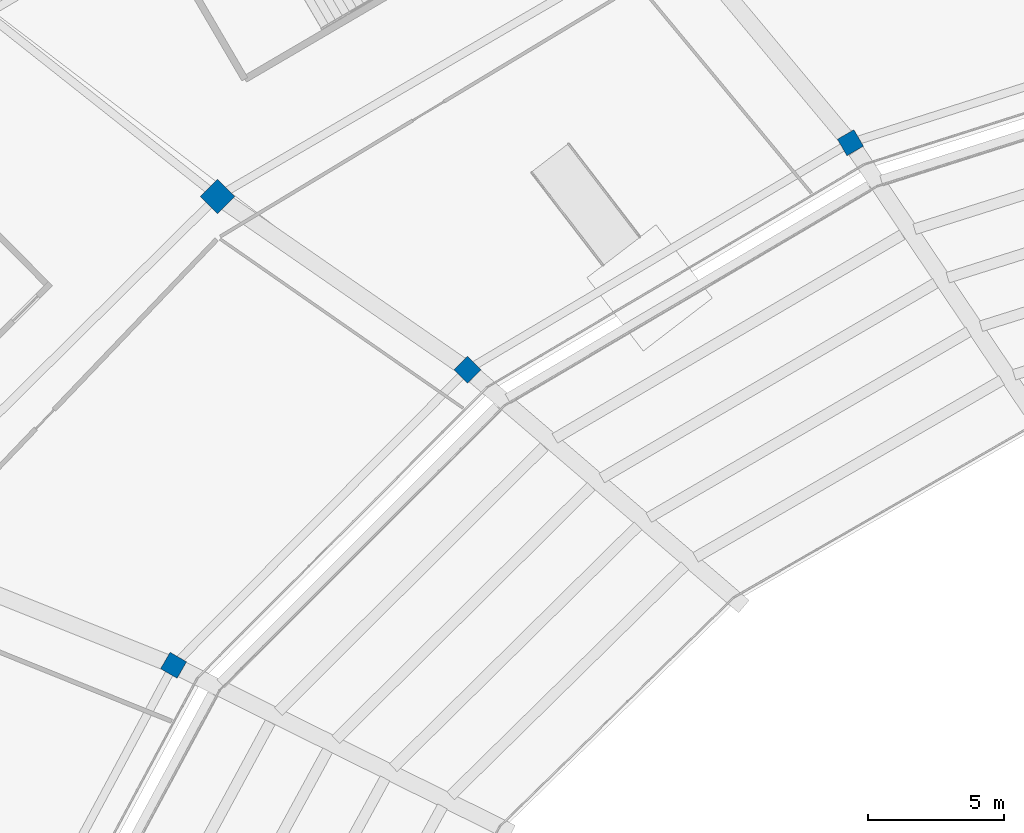
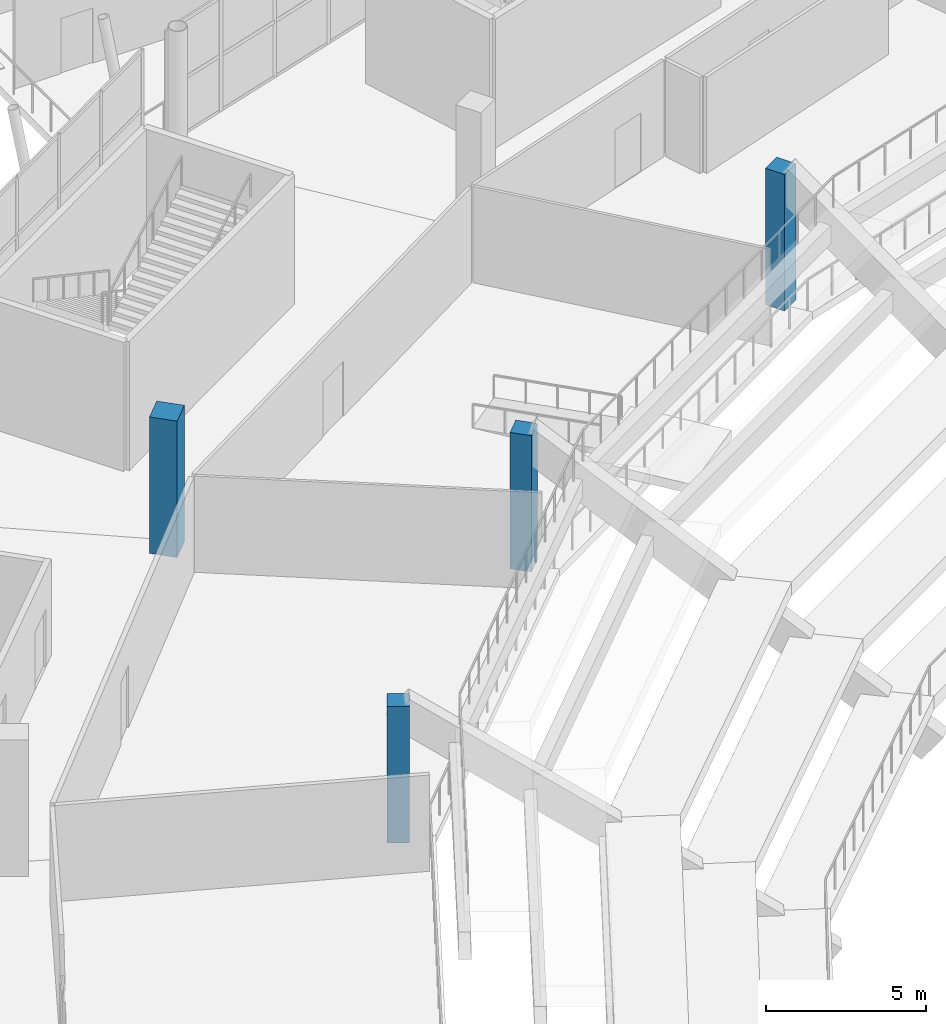
# One storey, part 10 of 178: 4 columns.
"""IFC4 building model written with IfcOpenShell, lengths in metres."""

import ifcopenshell
import ifcopenshell.guid

model = None  # the IFC model being written
_history = None  # IfcOwnerHistory: only IFC2X3 demands one
_inside = {}  # id of a spatial element -> (the spatial element, [elements in it])
_under = {}  # id of a project, library or spatial element -> (it, [spatial elements below it])
_declared = {}  # id of a project -> (the project, [libraries it declares])
_typed = {}  # id of a type object -> (the type object, [elements of that type])
_made_of = {}  # id of a material, layer set ... -> (it, [elements and type objects made of it])


def new_model(schema):
    """Start an empty IFC model of exactly this schema.

    Asked for "IFC4X3", IfcOpenShell would pick the latest addendum, in which some entities
    have other attributes; the version numbers below select the first issue.
    IFC2X3 requires an IfcOwnerHistory on every rooted entity: one is made here for all.
    """
    global model, _history
    if schema == "IFC4X3":
        model = ifcopenshell.file(schema_version=(4, 3, 0, 0))
    else:
        model = ifcopenshell.file(schema=schema)
    _inside.clear()
    _under.clear()
    _declared.clear()
    _typed.clear()
    _made_of.clear()
    _history = None
    if model.schema == "IFC2X3":
        org = make("IfcOrganization", Name="unknown")
        user = make(
            "IfcPersonAndOrganization",
            ThePerson=make("IfcPerson", FamilyName="unknown"),
            TheOrganization=org,
        )
        app = make(
            "IfcApplication",
            ApplicationDeveloper=org,
            Version="unknown",
            ApplicationFullName="unknown",
            ApplicationIdentifier="unknown",
        )
        _history = make(
            "IfcOwnerHistory",
            OwningUser=user,
            OwningApplication=app,
            ChangeAction="ADDED",
            CreationDate=0,
        )
    return model


def make(cls, **values):
    """One entity of the class cls with the attributes given. An attribute that is None is left unset."""
    return model.create_entity(
        cls, **{name: value for name, value in values.items() if value is not None}
    )


def rooted(cls, **values):
    """An entity with a GlobalId (a new one), such as an element, a storey or a relation."""
    return make(cls, GlobalId=ifcopenshell.guid.new(), OwnerHistory=_history, **values)


def si_unit(unit_type, name, prefix=None):
    """IfcSIUnit, for example si_unit("LENGTHUNIT", "METRE", prefix="MILLI")."""
    return make("IfcSIUnit", UnitType=unit_type, Prefix=prefix, Name=name)


def assignment(units):
    """IfcUnitAssignment: the units of a project."""
    return None if units is None else make("IfcUnitAssignment", Units=units)


def point(xyz):
    """IfcCartesianPoint."""
    return None if xyz is None else make("IfcCartesianPoint", Coordinates=xyz)


def direction(xyz):
    """IfcDirection."""
    return None if xyz is None else make("IfcDirection", DirectionRatios=xyz)


def frame(location, z_axis=None, x_axis=None):
    """IfcAxis2Placement3D, a coordinate frame: its origin and axes. An axis left out is left unset."""
    return make(
        "IfcAxis2Placement3D",
        Location=point(location),
        Axis=direction(z_axis),
        RefDirection=direction(x_axis),
    )


def frame_2d(location, x_axis=None):
    """IfcAxis2Placement2D, a coordinate frame in the plane: its origin and x axis."""
    return make(
        "IfcAxis2Placement2D", Location=point(location), RefDirection=direction(x_axis)
    )


def origin():
    """The frame at (0, 0, 0) with its axes left unset."""
    return frame((0.0, 0.0, 0.0))


def origin_2d():
    """The frame at (0, 0) in the plane with its x axis left unset."""
    return frame_2d((0.0, 0.0))


def place(relative_to, where):
    """IfcLocalPlacement: puts the frame where relative to a parent placement (None: the world)."""
    return make(
        "IfcLocalPlacement", PlacementRelTo=relative_to, RelativePlacement=where
    )


def context(
    kind, dimensions, precision=None, world=None, true_north=None, identifier=None
):
    """IfcGeometricRepresentationContext, for example the 3D "Model" context."""
    return make(
        "IfcGeometricRepresentationContext",
        ContextIdentifier=identifier,
        ContextType=kind,
        CoordinateSpaceDimension=dimensions,
        Precision=precision,
        WorldCoordinateSystem=world,
        TrueNorth=true_north,
    )


def subcontext(parent, identifier, kind, view, scale=None):
    """IfcGeometricRepresentationSubContext, for example "Body" below "Model"."""
    return make(
        "IfcGeometricRepresentationSubContext",
        ContextIdentifier=identifier,
        ContextType=kind,
        ParentContext=parent,
        TargetScale=scale,
        TargetView=view,
    )


def project(units=None, contexts=None):
    """IfcProject with its units and contexts."""
    return rooted(
        "IfcProject",
        Name="project",
        RepresentationContexts=contexts,
        UnitsInContext=assignment(units),
    )


def spatial(cls, under=None, at=None, **own):
    """A site, building, storey or space (cls), placed at a placement, below another one or the project."""
    s = rooted(cls, ObjectPlacement=at, **own)
    if under is not None:
        _under.setdefault(under.id(), (under, []))[1].append(s)
    return s


def profile(cls, at=None, kind="AREA", **sizes):
    """A parametric profile (cls). Its sizes go by their IFC names, for example OverallWidth=200.0."""
    return make(cls, ProfileType=kind, Position=at, **sizes)


def rectangle(**sizes):
    """IfcRectangleProfileDef."""
    return profile("IfcRectangleProfileDef", **sizes)


def extrude(swept, where, along, depth):
    """IfcExtrudedAreaSolid: the profile swept, set in the frame where, extruded along a direction by depth."""
    return make(
        "IfcExtrudedAreaSolid",
        SweptArea=swept,
        Position=where,
        ExtrudedDirection=direction(along),
        Depth=depth,
    )


def shape(context_of_items, identifier, shape_type, items):
    """IfcShapeRepresentation: the items that make up one representation, for example the "Body"."""
    return make(
        "IfcShapeRepresentation",
        ContextOfItems=context_of_items,
        RepresentationIdentifier=identifier,
        RepresentationType=shape_type,
        Items=items,
    )


def material(Name=None, Category=None):
    """IfcMaterial."""
    return make("IfcMaterial", Name=Name, Category=Category)


def material_profile(
    of_material, cross_section, Name=None, Category=None, Priority=None
):
    """IfcMaterialProfile: a cross section and its material."""
    return make(
        "IfcMaterialProfile",
        Name=Name,
        Material=of_material,
        Profile=cross_section,
        Priority=Priority,
        Category=Category,
    )


def profile_set(profiles, Name=None, composite=None):
    """IfcMaterialProfileSet."""
    return make(
        "IfcMaterialProfileSet",
        Name=Name,
        MaterialProfiles=profiles,
        CompositeProfile=composite,
    )


def made_of(thing, what):
    """Note that an element or type object is made of a material, layer set ...; save() writes the relation."""
    if what is not None:
        _made_of.setdefault(what.id(), (what, []))[1].append(thing)
    return thing


def type_object(cls, material=None, **own):
    """A type object (cls), such as IfcWallType, which elements share."""
    return made_of(rooted(cls, **own), material)


def element(
    cls,
    number,
    at=None,
    inside=None,
    cuts=None,
    type_object=None,
    material=None,
    context=None,
    identifier="Body",
    shape_type=None,
    held_by="IfcProductDefinitionShape",
    body=None,
    shapes=None,
    **own,
):
    """One element of the class cls, such as IfcWall. Its Tag is "e" and its number.

    at: its placement. inside: the storey or other place that contains it. cuts: it is an
    opening in that element (IfcRelVoidsElement). A single representation is given by context,
    identifier, shape_type and body (its items); several are given by shapes. held_by: the class
    of the entity that holds the representations. save() writes the other relations.
    """
    e = rooted(cls, Tag="e%d" % number, ObjectPlacement=at, **own)
    if body is not None:
        shapes = [shape(context, identifier, shape_type, body)]
    if shapes is not None:
        e.Representation = make(held_by, Representations=shapes)
    if inside is not None:
        _inside.setdefault(inside.id(), (inside, []))[1].append(e)
    if cuts is not None:
        rooted(
            "IfcRelVoidsElement", RelatingBuildingElement=cuts, RelatedOpeningElement=e
        )
    if type_object is not None:
        _typed.setdefault(type_object.id(), (type_object, []))[1].append(e)
    return made_of(e, material)


def aggregate(whole, parts):
    """IfcRelAggregates: a whole, such as a stair, and the parts it consists of."""
    return rooted("IfcRelAggregates", RelatingObject=whole, RelatedObjects=parts)


def save(model, path):
    """Write the relations noted so far, then the file.

    IfcRelAggregates (storeys below a building ...), IfcRelContainedInSpatialStructure (elements
    in a storey), IfcRelDefinesByType, IfcRelAssociatesMaterial and IfcRelDeclares: one each for
    every whole, place, type object, material and project.
    """
    for whole, parts in _under.values():
        aggregate(whole, parts)
    for where, things in _inside.values():
        rooted(
            "IfcRelContainedInSpatialStructure",
            RelatedElements=things,
            RelatingStructure=where,
        )
    for kind, things in _typed.values():
        rooted("IfcRelDefinesByType", RelatedObjects=things, RelatingType=kind)
    for what, things in _made_of.values():
        rooted("IfcRelAssociatesMaterial", RelatedObjects=things, RelatingMaterial=what)
    for by, libraries in _declared.values():
        rooted("IfcRelDeclares", RelatingContext=by, RelatedDefinitions=libraries)
    model.write(path)


model = new_model("IFC4")

# Units and contexts
model_context = context("Model", 3, precision=1e-05, world=origin(), true_north=direction((0.0, 1.0)))
body_context = subcontext(model_context, "Body", "Model", "MODEL_VIEW")
ifc_project = project(units=[si_unit("LENGTHUNIT", "METRE"), si_unit("AREAUNIT", "SQUARE_METRE"), si_unit("VOLUMEUNIT", "CUBIC_METRE"), si_unit("PLANEANGLEUNIT", "RADIAN"), si_unit("MASSUNIT", "GRAM", prefix="KILO")], contexts=[model_context])

# Site, building, storey
site_placement = place(None, origin())
site = spatial("IfcSite", under=ifc_project, at=site_placement, CompositionType="ELEMENT")
building_placement = place(site_placement, origin())
building = spatial("IfcBuilding", under=site, at=building_placement, Name="Zlatoyarsky Gate Stadium", CompositionType="ELEMENT")
storey_placement = place(building_placement, frame((0.0, 0.0, 5.39990234375)))
storey = spatial("IfcBuildingStorey", under=building, at=storey_placement, Name="L01", CompositionType="ELEMENT", Elevation=5.39990234375)

# Columns
ifc_material = material(Name="Concrete C40/50", Category="concrete")
ifc_material_profile_1 = material_profile(ifc_material, rectangle(XDim=0.699951171875, YDim=0.699951171875, at=origin_2d()), Name="RC COL 700X700")
ifc_profile_set_1 = profile_set([ifc_material_profile_1], Name="Concrete C40/50")
column_type_1 = type_object("IfcColumnType", Name="CONCRETE COLUMN 700X700", PredefinedType="COLUMN", material=ifc_profile_set_1)
for number, where, z_axis, x_axis, name in (
    (1, (77.0, 125.46630859375, 0.0), (0.0, 0.0, 1.0), (-0.5, 0.866025403784, 0.0), "Column RC-C70 RA-08 on L01"),
    (2, (62.916748046875, 117.123046875, 0.0), (0.0, 0.0, 1.0), (-0.707106781187, 0.707106781187, 0.0), "Column RC-C70 RA-09 on L01"),
    (3, (52.1103515625, 106.25, 0.0), (0.0, 0.0, 1.0), (-0.866025403784, 0.5, 0.0), "Column RC-C70 RA-10 on L01"),
):
    element("IfcColumn", number, at=place(storey_placement, frame(where, z_axis=z_axis, x_axis=x_axis)), inside=storey, type_object=column_type_1, Name=name, PredefinedType="COLUMN", context=body_context, shape_type="SweptSolid", body=[
        extrude(rectangle(XDim=0.699951171875, YDim=0.699951171875, at=origin_2d()), origin(), (0.0, 0.0, 1.0), 5.2001953125),
    ])
ifc_material_profile_2 = material_profile(ifc_material, rectangle(XDim=0.89990234375, YDim=0.89990234375, at=origin_2d()), Name="RC COL 900X900")
ifc_profile_set_2 = profile_set([ifc_material_profile_2], Name="Concrete C40/50")
column_type_2 = type_object("IfcColumnType", Name="CONCRETE COLUMN 900X900", PredefinedType="COLUMN", material=ifc_profile_set_2)
column_placement = place(storey_placement, frame((53.724365234375, 123.487060546875, 0.0), z_axis=(0.0, 0.0, 1.0), x_axis=(-0.707106781187, 0.707106781187, 0.0)))
element("IfcColumn", 4, at=column_placement, inside=storey, type_object=column_type_2, Name="Column RC-C90 RB-09 on L01", PredefinedType="COLUMN", context=body_context, shape_type="SweptSolid", body=[
    extrude(rectangle(XDim=0.89990234375, YDim=0.89990234375, at=origin_2d()), origin(), (0.0, 0.0, 1.0), 5.2001953125),
])

save(model, "model.ifc")
